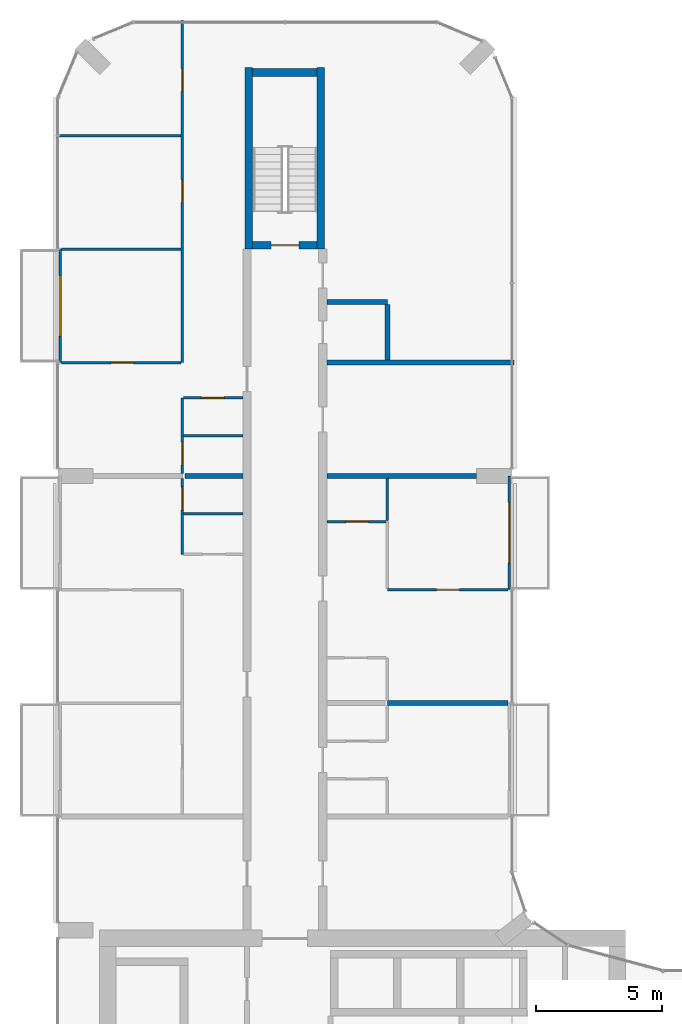
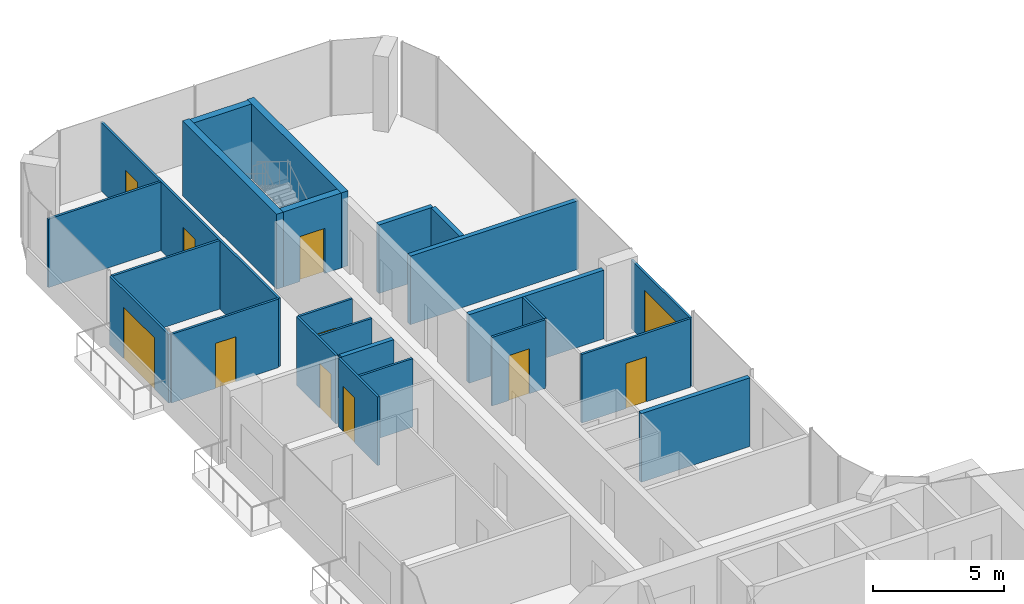
# One storey, part 14 of 19: 24 walls, 11 doors, 11 openings.
"""IFC4 building model written with IfcOpenShell, lengths in metres."""

from ifc_helpers import new_model, si_unit, direction, frame, frame_2d, origin, place, context, subcontext, project, spatial, rectangle, extrude, material, layer, layer_set, type_object, element, fill, save


model = new_model("IFC4")

# Units and contexts
model_context = context("Model", 3, precision=1e-05, world=origin(), true_north=direction((0.0, 1.0)))
body_context = subcontext(model_context, "Body", "Model", "MODEL_VIEW")
ifc_project = project(units=[si_unit("LENGTHUNIT", "METRE"), si_unit("AREAUNIT", "SQUARE_METRE"), si_unit("VOLUMEUNIT", "CUBIC_METRE"), si_unit("PLANEANGLEUNIT", "RADIAN"), si_unit("MASSUNIT", "GRAM", prefix="KILO")], contexts=[model_context])

# Site, building, storey
site_placement = place(None, origin())
site = spatial("IfcSite", under=ifc_project, at=site_placement, CompositionType="ELEMENT")
building_placement = place(site_placement, origin())
building = spatial("IfcBuilding", under=site, at=building_placement, Name="Plateau Cross Towers", CompositionType="ELEMENT")
storey_placement = place(building_placement, frame((0.0, 0.0, 120.300048828125)))
storey = spatial("IfcBuildingStorey", under=building, at=storey_placement, Name="L31", CompositionType="ELEMENT", Elevation=120.300048828125)

# Wall, opening, door
ifc_material_1 = material(Name="Aluminium framed glazing", Category="aluminium")
ifc_layer_1 = layer(ifc_material_1, 0.10009765625)
ifc_layer_set_1 = layer_set([ifc_layer_1], Name="Aluminium framed glazing")
wall_type_1 = type_object("IfcWallType", Name="Balcony screen wall 100", PredefinedType="STANDARD", material=ifc_layer_set_1)
wall_1_placement = place(storey_placement, frame((0.10009765625, 40.5, 0.0), z_axis=(0.0, 0.0, 1.0), x_axis=(0.0, 1.0, 0.0)))
wall_1 = element("IfcWall", 1, at=wall_1_placement, inside=storey, type_object=wall_type_1, Name="Balcony screen wall A-BAL-L31-03", PredefinedType="STANDARD", context=body_context, shape_type="SweptSolid", body=[
    extrude(rectangle(XDim=4.5, YDim=0.10009765625, at=frame_2d((2.25, 0.0))), origin(), (0.0, 0.0, 1.0), 3.199951171875),
])
opening_1_placement = place(wall_1_placement, frame((1.050048828125, 0.0, 0.0)))
opening_1 = element("IfcOpeningElement", 2, at=opening_1_placement, cuts=wall_1, Name="Opening D-B24", PredefinedType="OPENING", context=body_context, shape_type="SweptSolid", body=[
    extrude(rectangle(XDim=2.39990234375, YDim=2.39990234375, at=frame_2d((1.199951171875, 1.199951171875))), frame((0.0, 0.06005859375, 0.0), z_axis=(0.0, -1.0, 0.0), x_axis=(1.0, 0.0, 0.0)), (0.0, 0.0, 1.0), 0.1201171875),
])
ifc_material_2 = material(Name="Aluminium frame, double glazing", Category="aluminium")
door_type_1 = type_object("IfcDoorType", Name="Balcony sliding door 2400", OperationType="NOTDEFINED", PredefinedType="DOOR", material=ifc_material_2)
door_1_placement = place(opening_1_placement, origin())
door_1 = element("IfcDoor", 3, at=door_1_placement, inside=storey, type_object=door_type_1, Name="Balcony door A-BAL-L31-03", OperationType="SINGLE_SWING_LEFT", OverallHeight=2.39990234375, OverallWidth=2.39990234375, PredefinedType="DOOR", context=body_context, shape_type="SweptSolid", body=[
    extrude(rectangle(XDim=2.39990234375, YDim=2.39990234375, at=frame_2d((1.199951171875, 1.199951171875))), frame((0.0, 0.02490234375, 0.0), z_axis=(0.0, -1.0, 0.0), x_axis=(1.0, 0.0, 0.0)), (0.0, 0.0, 1.0), 0.050048828125),
])
fill(opening_1, door_1)

wall_2_placement = place(storey_placement, frame((17.89990234375, 36.0, 0.0), z_axis=(0.0, 0.0, 1.0), x_axis=(0.0, -1.0, 0.0)))
wall_2 = element("IfcWall", 4, at=wall_2_placement, inside=storey, type_object=wall_type_1, Name="Balcony screen wall A-BAL-L31-05", PredefinedType="STANDARD", context=body_context, shape_type="SweptSolid", body=[
    extrude(rectangle(XDim=4.5, YDim=0.10009765625, at=frame_2d((2.25, 0.0))), origin(), (0.0, 0.0, 1.0), 3.199951171875),
])
opening_2_placement = place(wall_2_placement, frame((1.050048828125, 0.0, 0.0)))
opening_2 = element("IfcOpeningElement", 5, at=opening_2_placement, cuts=wall_2, Name="Opening D-B24", PredefinedType="OPENING", context=body_context, shape_type="SweptSolid", body=[
    extrude(rectangle(XDim=2.39990234375, YDim=2.39990234375, at=frame_2d((1.199951171875, 1.199951171875))), frame((0.0, 0.06005859375, 0.0), z_axis=(0.0, -1.0, 0.0), x_axis=(1.0, 0.0, 0.0)), (0.0, 0.0, 1.0), 0.1201171875),
])
door_2_placement = place(opening_2_placement, origin())
door_2 = element("IfcDoor", 6, at=door_2_placement, inside=storey, type_object=door_type_1, Name="Balcony door A-BAL-L31-05", OperationType="SINGLE_SWING_LEFT", OverallHeight=2.39990234375, OverallWidth=2.39990234375, PredefinedType="DOOR", context=body_context, shape_type="SweptSolid", body=[
    extrude(rectangle(XDim=2.39990234375, YDim=2.39990234375, at=frame_2d((1.199951171875, 1.199951171875))), frame((0.0, 0.02490234375, 0.0), z_axis=(0.0, -1.0, 0.0), x_axis=(1.0, 0.0, 0.0)), (0.0, 0.0, 1.0), 0.050048828125),
])
fill(opening_2, door_2)

ifc_material_3 = material(Name="Gypsum board on steel studs", Category="steel")
ifc_layer_2 = layer(ifc_material_3, 0.10009765625)
ifc_layer_set_2 = layer_set([ifc_layer_2], Name="Gypsum board on steel studs")
wall_type_2 = type_object("IfcWallType", Name="Flat partition 100", PredefinedType="PARTITIONING", material=ifc_layer_set_2)
wall_3_placement = place(storey_placement, frame((13.0625, 31.5, 0.0), z_axis=(0.0, 0.0, 1.0), x_axis=(1.0, 0.0, 0.0)))
wall_3 = element("IfcWall", 7, at=wall_3_placement, inside=storey, type_object=wall_type_2, Name="Partition wall", PredefinedType="PARTITIONING", context=body_context, shape_type="SweptSolid", body=[
    extrude(rectangle(XDim=4.78759765625, YDim=0.10009765625, at=frame_2d((2.393798828125, 0.0))), origin(), (0.0, 0.0, 1.0), 3.199951171875),
])
opening_3_placement = place(wall_3_placement, frame((1.949951171875, 0.0, 0.0)))
opening_3 = element("IfcOpeningElement", 8, at=opening_3_placement, cuts=wall_3, Name="Opening 31-43", PredefinedType="OPENING", context=body_context, shape_type="SweptSolid", body=[
    extrude(rectangle(XDim=0.89990234375, YDim=2.10009765625, at=frame_2d((0.449951171875, 1.050048828125))), frame((0.0, 0.06005859375, 0.0), z_axis=(0.0, -1.0, 0.0), x_axis=(1.0, 0.0, 0.0)), (0.0, 0.0, 1.0), 0.1201171875),
])
ifc_material_4 = material(Name="Timber leaf", Category="wood")
door_type_2 = type_object("IfcDoorType", Name="Flat room door 900", OperationType="NOTDEFINED", PredefinedType="DOOR", material=ifc_material_4)
door_3_placement = place(opening_3_placement, origin())
door_3 = element("IfcDoor", 9, at=door_3_placement, inside=storey, type_object=door_type_2, Name="Door 31-43", OperationType="SINGLE_SWING_RIGHT", OverallHeight=2.10009765625, OverallWidth=0.89990234375, PredefinedType="DOOR", context=body_context, shape_type="SweptSolid", body=[
    extrude(rectangle(XDim=0.89990234375, YDim=2.10009765625, at=frame_2d((0.449951171875, 1.050048828125))), frame((0.0, 0.02490234375, 0.0), z_axis=(0.0, -1.0, 0.0), x_axis=(1.0, 0.0, 0.0)), (0.0, 0.0, 1.0), 0.050048828125),
])
fill(opening_3, door_3)

wall_4_placement = place(storey_placement, frame((10.66259765625, 34.199951171875, 0.0), z_axis=(0.0, 0.0, 1.0), x_axis=(1.0, 0.0, 0.0)))
wall_4 = element("IfcWall", 10, at=wall_4_placement, inside=storey, type_object=wall_type_2, Name="Partition wall", PredefinedType="PARTITIONING", context=body_context, shape_type="SweptSolid", body=[
    extrude(rectangle(XDim=2.349853515625, YDim=0.10009765625, at=frame_2d((1.1748046875, 0.0))), origin(), (0.0, 0.0, 1.0), 3.199951171875),
])
opening_4_placement = place(wall_4_placement, frame((0.75, 0.0, 0.0)))
opening_4 = element("IfcOpeningElement", 11, at=opening_4_placement, cuts=wall_4, Name="Opening 31-42", PredefinedType="OPENING", context=body_context, shape_type="SweptSolid", body=[
    extrude(rectangle(XDim=0.89990234375, YDim=2.10009765625, at=frame_2d((0.449951171875, 1.050048828125))), frame((0.0, 0.06005859375, 0.0), z_axis=(0.0, -1.0, 0.0), x_axis=(1.0, 0.0, 0.0)), (0.0, 0.0, 1.0), 0.1201171875),
])
door_4_placement = place(opening_4_placement, origin())
door_4 = element("IfcDoor", 12, at=door_4_placement, inside=storey, type_object=door_type_2, Name="Door 31-42", OperationType="SINGLE_SWING_RIGHT", OverallHeight=2.10009765625, OverallWidth=0.89990234375, PredefinedType="DOOR", context=body_context, shape_type="SweptSolid", body=[
    extrude(rectangle(XDim=0.89990234375, YDim=2.10009765625, at=frame_2d((0.449951171875, 1.050048828125))), frame((0.0, 0.02490234375, 0.0), z_axis=(0.0, -1.0, 0.0), x_axis=(1.0, 0.0, 0.0)), (0.0, 0.0, 1.0), 0.050048828125),
])
fill(opening_4, door_4)

# Walls
for number, where, z_axis, x_axis, name in (
    (13, (7.33740234375, 34.5, 0.0), (0.0, 0.0, 1.0), (-1.0, 0.0, 0.0), "Partition wall"),
    (14, (7.33740234375, 37.60009765625, 0.0), (0.0, 0.0, 1.0), (-1.0, 0.0, 0.0), "Partition wall"),
):
    element("IfcWall", number, at=place(storey_placement, frame(where, z_axis=z_axis, x_axis=x_axis)), inside=storey, type_object=wall_type_2, Name=name, PredefinedType="PARTITIONING", context=body_context, shape_type="SweptSolid", body=[
        extrude(rectangle(XDim=2.349853515625, YDim=0.10009765625, at=frame_2d((1.1748046875, 0.0))), origin(), (0.0, 0.0, 1.0), 3.199951171875),
    ])

# Wall, opening, door
wall_5_placement = place(storey_placement, frame((7.33740234375, 39.10009765625, 0.0), z_axis=(0.0, 0.0, 1.0), x_axis=(-1.0, 0.0, 0.0)))
wall_5 = element("IfcWall", 15, at=wall_5_placement, inside=storey, type_object=wall_type_2, Name="Partition wall", PredefinedType="PARTITIONING", context=body_context, shape_type="SweptSolid", body=[
    extrude(rectangle(XDim=2.349853515625, YDim=0.10009765625, at=frame_2d((1.1748046875, 0.0))), origin(), (0.0, 0.0, 1.0), 3.199951171875),
])
opening_5_placement = place(wall_5_placement, frame((0.75, 0.0, 0.0)))
opening_5 = element("IfcOpeningElement", 16, at=opening_5_placement, cuts=wall_5, Name="Opening 31-35", PredefinedType="OPENING", context=body_context, shape_type="SweptSolid", body=[
    extrude(rectangle(XDim=0.89990234375, YDim=2.10009765625, at=frame_2d((0.449951171875, 1.050048828125))), frame((0.0, 0.06005859375, 0.0), z_axis=(0.0, -1.0, 0.0), x_axis=(1.0, 0.0, 0.0)), (0.0, 0.0, 1.0), 0.1201171875),
])
door_5_placement = place(opening_5_placement, origin())
door_5 = element("IfcDoor", 17, at=door_5_placement, inside=storey, type_object=door_type_2, Name="Door 31-35", OperationType="SINGLE_SWING_RIGHT", OverallHeight=2.10009765625, OverallWidth=0.89990234375, PredefinedType="DOOR", context=body_context, shape_type="SweptSolid", body=[
    extrude(rectangle(XDim=0.89990234375, YDim=2.10009765625, at=frame_2d((0.449951171875, 1.050048828125))), frame((0.0, 0.02490234375, 0.0), z_axis=(0.0, -1.0, 0.0), x_axis=(1.0, 0.0, 0.0)), (0.0, 0.0, 1.0), 0.050048828125),
])
fill(opening_5, door_5)

wall_6_placement = place(storey_placement, frame((0.14990234375, 40.5, 0.0), z_axis=(0.0, 0.0, 1.0), x_axis=(1.0, 0.0, 0.0)))
wall_6 = element("IfcWall", 18, at=wall_6_placement, inside=storey, type_object=wall_type_2, Name="Partition wall", PredefinedType="PARTITIONING", context=body_context, shape_type="SweptSolid", body=[
    extrude(rectangle(XDim=4.737548828125, YDim=0.10009765625, at=frame_2d((2.36865234375, 0.0))), origin(), (0.0, 0.0, 1.0), 3.199951171875),
])
opening_6_placement = place(wall_6_placement, frame((1.949951171875, 0.0, 0.0)))
opening_6 = element("IfcOpeningElement", 19, at=opening_6_placement, cuts=wall_6, Name="Opening 31-36", PredefinedType="OPENING", context=body_context, shape_type="SweptSolid", body=[
    extrude(rectangle(XDim=0.89990234375, YDim=2.10009765625, at=frame_2d((0.449951171875, 1.050048828125))), frame((0.0, 0.06005859375, 0.0), z_axis=(0.0, -1.0, 0.0), x_axis=(1.0, 0.0, 0.0)), (0.0, 0.0, 1.0), 0.1201171875),
])
door_6_placement = place(opening_6_placement, origin())
door_6 = element("IfcDoor", 20, at=door_6_placement, inside=storey, type_object=door_type_2, Name="Door 31-36", OperationType="SINGLE_SWING_RIGHT", OverallHeight=2.10009765625, OverallWidth=0.89990234375, PredefinedType="DOOR", context=body_context, shape_type="SweptSolid", body=[
    extrude(rectangle(XDim=0.89990234375, YDim=2.10009765625, at=frame_2d((0.449951171875, 1.050048828125))), frame((0.0, 0.02490234375, 0.0), z_axis=(0.0, -1.0, 0.0), x_axis=(1.0, 0.0, 0.0)), (0.0, 0.0, 1.0), 0.050048828125),
])
fill(opening_6, door_6)

# Walls
wall_7_placement = place(storey_placement, frame((4.887451171875, 45.0, 0.0), z_axis=(0.0, 0.0, 1.0), x_axis=(-1.0, 0.0, 0.0)))
element("IfcWall", 21, at=wall_7_placement, inside=storey, type_object=wall_type_2, Name="Partition wall", PredefinedType="PARTITIONING", context=body_context, shape_type="SweptSolid", body=[
    extrude(rectangle(XDim=4.737548828125, YDim=0.10009765625, at=frame_2d((2.36865234375, 0.0))), origin(), (0.0, 0.0, 1.0), 3.199951171875),
])
wall_8_placement = place(storey_placement, frame((4.887451171875, 49.5, 0.0), z_axis=(0.0, 0.0, 1.0), x_axis=(-1.0, 0.0, 0.0)))
element("IfcWall", 22, at=wall_8_placement, inside=storey, type_object=wall_type_2, Name="Partition wall", PredefinedType="PARTITIONING", context=body_context, shape_type="SweptSolid", body=[
    extrude(rectangle(XDim=4.967529296875, YDim=0.10009765625, at=frame_2d((2.48388671875, 0.0))), origin(), (0.0, 0.0, 1.0), 3.199951171875),
])

# Wall, opening, door
wall_9_placement = place(storey_placement, frame((4.9375, 35.89990234375, 0.0), z_axis=(0.0, 0.0, 1.0), x_axis=(0.0, -1.0, 0.0)))
wall_9 = element("IfcWall", 23, at=wall_9_placement, inside=storey, type_object=wall_type_2, Name="Partition wall", PredefinedType="PARTITIONING", context=body_context, shape_type="SweptSolid", body=[
    extrude(rectangle(XDim=3.0, YDim=0.10009765625, at=frame_2d((1.5, 0.0))), origin(), (0.0, 0.0, 1.0), 3.199951171875),
])
opening_7_placement = place(wall_9_placement, frame((0.35009765625, 0.0, 0.0)))
opening_7 = element("IfcOpeningElement", 24, at=opening_7_placement, cuts=wall_9, Name="Opening 31-31", PredefinedType="OPENING", context=body_context, shape_type="SweptSolid", body=[
    extrude(rectangle(XDim=0.89990234375, YDim=2.10009765625, at=frame_2d((0.449951171875, 1.050048828125))), frame((0.0, 0.06005859375, 0.0), z_axis=(0.0, -1.0, 0.0), x_axis=(1.0, 0.0, 0.0)), (0.0, 0.0, 1.0), 0.1201171875),
])
door_7_placement = place(opening_7_placement, origin())
door_7 = element("IfcDoor", 25, at=door_7_placement, inside=storey, type_object=door_type_2, Name="Door 31-31", OperationType="SINGLE_SWING_LEFT", OverallHeight=2.10009765625, OverallWidth=0.89990234375, PredefinedType="DOOR", context=body_context, shape_type="SweptSolid", body=[
    extrude(rectangle(XDim=0.89990234375, YDim=2.10009765625, at=frame_2d((0.449951171875, 1.050048828125))), frame((0.0, 0.02490234375, 0.0), z_axis=(0.0, -1.0, 0.0), x_axis=(1.0, 0.0, 0.0)), (0.0, 0.0, 1.0), 0.050048828125),
])
fill(opening_7, door_7)

wall_10_placement = place(storey_placement, frame((4.9375, 39.10009765625, 0.0), z_axis=(0.0, 0.0, 1.0), x_axis=(0.0, -1.0, 0.0)))
wall_10 = element("IfcWall", 26, at=wall_10_placement, inside=storey, type_object=wall_type_2, Name="Partition wall", PredefinedType="PARTITIONING", context=body_context, shape_type="SweptSolid", body=[
    extrude(rectangle(XDim=3.0, YDim=0.10009765625, at=frame_2d((1.5, 0.0))), origin(), (0.0, 0.0, 1.0), 3.199951171875),
])
opening_8_placement = place(wall_10_placement, frame((1.75, 0.0, 0.0)))
opening_8 = element("IfcOpeningElement", 27, at=opening_8_placement, cuts=wall_10, Name="Opening 31-34", PredefinedType="OPENING", context=body_context, shape_type="SweptSolid", body=[
    extrude(rectangle(XDim=0.89990234375, YDim=2.10009765625, at=frame_2d((0.449951171875, 1.050048828125))), frame((0.0, 0.06005859375, 0.0), z_axis=(0.0, -1.0, 0.0), x_axis=(1.0, 0.0, 0.0)), (0.0, 0.0, 1.0), 0.1201171875),
])
door_8_placement = place(opening_8_placement, origin())
door_8 = element("IfcDoor", 28, at=door_8_placement, inside=storey, type_object=door_type_2, Name="Door 31-34", OperationType="SINGLE_SWING_RIGHT", OverallHeight=2.10009765625, OverallWidth=0.89990234375, PredefinedType="DOOR", context=body_context, shape_type="SweptSolid", body=[
    extrude(rectangle(XDim=0.89990234375, YDim=2.10009765625, at=frame_2d((0.449951171875, 1.050048828125))), frame((0.0, 0.02490234375, 0.0), z_axis=(0.0, -1.0, 0.0), x_axis=(1.0, 0.0, 0.0)), (0.0, 0.0, 1.0), 0.050048828125),
])
fill(opening_8, door_8)

# Wall, openings, doors
wall_11_placement = place(storey_placement, frame((4.9375, 40.5, 0.0), z_axis=(0.0, 0.0, 1.0), x_axis=(0.0, 1.0, 0.0)))
wall_11 = element("IfcWall", 29, at=wall_11_placement, inside=storey, type_object=wall_type_2, Name="Partition wall", PredefinedType="PARTITIONING", context=body_context, shape_type="SweptSolid", body=[
    extrude(rectangle(XDim=13.580078125, YDim=0.10009765625, at=frame_2d((6.7900390625, 0.0))), origin(), (0.0, 0.0, 1.0), 3.199951171875),
])
opening_9_placement = place(wall_11_placement, frame((6.35009765625, 0.0, 0.0)))
opening_9 = element("IfcOpeningElement", 30, at=opening_9_placement, cuts=wall_11, Name="Opening 31-37", PredefinedType="OPENING", context=body_context, shape_type="SweptSolid", body=[
    extrude(rectangle(XDim=0.89990234375, YDim=2.10009765625, at=frame_2d((0.449951171875, 1.050048828125))), frame((0.0, 0.06005859375, 0.0), z_axis=(0.0, -1.0, 0.0), x_axis=(1.0, 0.0, 0.0)), (0.0, 0.0, 1.0), 0.1201171875),
])
opening_10_placement = place(wall_11_placement, frame((10.75, 0.0, 0.0)))
opening_10 = element("IfcOpeningElement", 31, at=opening_10_placement, cuts=wall_11, Name="Opening 31-38", PredefinedType="OPENING", context=body_context, shape_type="SweptSolid", body=[
    extrude(rectangle(XDim=0.89990234375, YDim=2.10009765625, at=frame_2d((0.449951171875, 1.050048828125))), frame((0.0, 0.06005859375, 0.0), z_axis=(0.0, -1.0, 0.0), x_axis=(1.0, 0.0, 0.0)), (0.0, 0.0, 1.0), 0.1201171875),
])
door_9_placement = place(opening_9_placement, origin())
door_9 = element("IfcDoor", 32, at=door_9_placement, inside=storey, type_object=door_type_2, Name="Door 31-37", OperationType="SINGLE_SWING_RIGHT", OverallHeight=2.10009765625, OverallWidth=0.89990234375, PredefinedType="DOOR", context=body_context, shape_type="SweptSolid", body=[
    extrude(rectangle(XDim=0.89990234375, YDim=2.10009765625, at=frame_2d((0.449951171875, 1.050048828125))), frame((0.0, 0.02490234375, 0.0), z_axis=(0.0, -1.0, 0.0), x_axis=(1.0, 0.0, 0.0)), (0.0, 0.0, 1.0), 0.050048828125),
])
fill(opening_9, door_9)
door_10_placement = place(opening_10_placement, origin())
door_10 = element("IfcDoor", 33, at=door_10_placement, inside=storey, type_object=door_type_2, Name="Door 31-38", OperationType="SINGLE_SWING_RIGHT", OverallHeight=2.10009765625, OverallWidth=0.89990234375, PredefinedType="DOOR", context=body_context, shape_type="SweptSolid", body=[
    extrude(rectangle(XDim=0.89990234375, YDim=2.10009765625, at=frame_2d((0.449951171875, 1.050048828125))), frame((0.0, 0.02490234375, 0.0), z_axis=(0.0, -1.0, 0.0), x_axis=(1.0, 0.0, 0.0)), (0.0, 0.0, 1.0), 0.050048828125),
])
fill(opening_10, door_10)

# Walls
wall_12_placement = place(storey_placement, frame((13.0625, 34.25, 0.0), z_axis=(0.0, 0.0, 1.0), x_axis=(0.0, 1.0, 0.0)))
element("IfcWall", 34, at=wall_12_placement, inside=storey, type_object=wall_type_2, Name="Partition wall", PredefinedType="PARTITIONING", context=body_context, shape_type="SweptSolid", body=[
    extrude(rectangle(XDim=1.64990234375, YDim=0.10009765625, at=frame_2d((0.824951171875, 0.0))), origin(), (0.0, 0.0, 1.0), 3.199951171875),
])
ifc_material_5 = material(Name="Gypsum board on steel studs, two layers each side", Category="steel")
ifc_layer_3 = layer(ifc_material_5, 0.199951171875)
ifc_layer_set_3 = layer_set([ifc_layer_3], Name="Gypsum board on steel studs, two layers each side")
wall_type_3 = type_object("IfcWallType", Name="Flat party wall 200", PredefinedType="PARTITIONING", material=ifc_layer_set_3)
wall_13_placement = place(storey_placement, frame((13.0625, 27.0, 0.0), z_axis=(0.0, 0.0, 1.0), x_axis=(1.0, 0.0, 0.0)))
element("IfcWall", 35, at=wall_13_placement, inside=storey, type_object=wall_type_3, Name="Party wall", PredefinedType="PARTITIONING", context=body_context, shape_type="SweptSolid", body=[
    extrude(rectangle(XDim=4.78759765625, YDim=0.199951171875, at=frame_2d((2.393798828125, 0.0))), origin(), (0.0, 0.0, 1.0), 3.199951171875),
])
wall_14_placement = place(storey_placement, frame((7.33740234375, 36.0, 0.0), z_axis=(0.0, 0.0, 1.0), x_axis=(-1.0, 0.0, 0.0)))
element("IfcWall", 36, at=wall_14_placement, inside=storey, type_object=wall_type_3, Name="Party wall", PredefinedType="PARTITIONING", context=body_context, shape_type="SweptSolid", body=[
    extrude(rectangle(XDim=2.2998046875, YDim=0.199951171875, at=frame_2d((1.14990234375, 0.0))), origin(), (0.0, 0.0, 1.0), 3.199951171875),
])
wall_15_placement = place(storey_placement, frame((16.60009765625, 36.0, 0.0), z_axis=(0.0, 0.0, 1.0), x_axis=(-1.0, 0.0, 0.0)))
element("IfcWall", 37, at=wall_15_placement, inside=storey, type_object=wall_type_3, Name="Party wall", PredefinedType="PARTITIONING", context=body_context, shape_type="SweptSolid", body=[
    extrude(rectangle(XDim=5.9375, YDim=0.199951171875, at=frame_2d((2.96875, 0.0))), origin(), (0.0, 0.0, 1.0), 3.199951171875),
])
wall_16_placement = place(storey_placement, frame((18.080078125, 40.5, 0.0), z_axis=(0.0, 0.0, 1.0), x_axis=(-1.0, 0.0, 0.0)))
element("IfcWall", 38, at=wall_16_placement, inside=storey, type_object=wall_type_3, Name="Party wall", PredefinedType="PARTITIONING", context=body_context, shape_type="SweptSolid", body=[
    extrude(rectangle(XDim=7.41748046875, YDim=0.199951171875, at=frame_2d((3.708740234375, 0.0))), origin(), (0.0, 0.0, 1.0), 3.199951171875),
])
wall_17_placement = place(storey_placement, frame((13.0625, 42.89990234375, 0.0), z_axis=(0.0, 0.0, 1.0), x_axis=(-1.0, 0.0, 0.0)))
element("IfcWall", 39, at=wall_17_placement, inside=storey, type_object=wall_type_3, Name="Party wall", PredefinedType="PARTITIONING", context=body_context, shape_type="SweptSolid", body=[
    extrude(rectangle(XDim=2.39990234375, YDim=0.199951171875, at=frame_2d((1.199951171875, 0.0))), origin(), (0.0, 0.0, 1.0), 3.199951171875),
])
wall_18_placement = place(storey_placement, frame((13.0625, 40.60009765625, 0.0), z_axis=(0.0, 0.0, 1.0), x_axis=(0.0, 1.0, 0.0)))
element("IfcWall", 40, at=wall_18_placement, inside=storey, type_object=wall_type_3, Name="Party wall", PredefinedType="PARTITIONING", context=body_context, shape_type="SweptSolid", body=[
    extrude(rectangle(XDim=2.199951171875, YDim=0.199951171875, at=frame_2d((1.10009765625, 0.0))), origin(), (0.0, 0.0, 1.0), 3.199951171875),
])

# Wall, opening, door
ifc_material_6 = material(Name="Concrete C60/75", Category="concrete")
ifc_layer_4 = layer(ifc_material_6, 0.300048828125)
ifc_layer_set_4 = layer_set([ifc_layer_4], Name="Concrete C60/75")
wall_type_4 = type_object("IfcWallType", Name="Stair tower wall 300", PredefinedType="SHEAR", material=ifc_layer_set_4)
wall_19_placement = place(storey_placement, frame((7.72509765625, 45.14990234375, 0.0), z_axis=(0.0, 0.0, 1.0), x_axis=(1.0, 0.0, 0.0)))
wall_19 = element("IfcWall", 41, at=wall_19_placement, inside=storey, type_object=wall_type_4, Name="A-end-N-S@L31", PredefinedType="SHEAR", context=body_context, shape_type="SweptSolid", body=[
    extrude(rectangle(XDim=2.5498046875, YDim=0.300048828125, at=frame_2d((1.27490234375, 0.0))), origin(), (0.0, 0.0, 1.0), 3.5),
])
opening_11_placement = place(wall_19_placement, frame((0.72509765625, 0.0, 0.0)))
opening_11 = element("IfcOpeningElement", 42, at=opening_11_placement, cuts=wall_19, Name="Opening SD", PredefinedType="OPENING", context=body_context, shape_type="SweptSolid", body=[
    extrude(rectangle(XDim=1.10009765625, YDim=2.10009765625, at=frame_2d((0.550048828125, 1.050048828125))), frame((0.0, 0.159912109375, 0.0), z_axis=(0.0, -1.0, 0.0), x_axis=(1.0, 0.0, 0.0)), (0.0, 0.0, 1.0), 0.320068359375),
])
ifc_material_7 = material(Name="Steel, fire-resisting leaf", Category="steel")
door_type_3 = type_object("IfcDoorType", Name="Stair door 1100", OperationType="NOTDEFINED", PredefinedType="DOOR", material=ifc_material_7)
door_11_placement = place(opening_11_placement, origin())
door_11 = element("IfcDoor", 43, at=door_11_placement, inside=storey, type_object=door_type_3, Name="Stair door SD", OperationType="SINGLE_SWING_LEFT", OverallHeight=2.10009765625, OverallWidth=1.10009765625, PredefinedType="DOOR", context=body_context, shape_type="SweptSolid", body=[
    extrude(rectangle(XDim=1.10009765625, YDim=2.10009765625, at=frame_2d((0.550048828125, 1.050048828125))), frame((0.0, 0.02490234375, 0.0), z_axis=(0.0, -1.0, 0.0), x_axis=(1.0, 0.0, 0.0)), (0.0, 0.0, 1.0), 0.050048828125),
])
fill(opening_11, door_11)

# Walls
wall_20_placement = place(storey_placement, frame((7.72509765625, 52.0, 0.0), z_axis=(0.0, 0.0, 1.0), x_axis=(1.0, 0.0, 0.0)))
element("IfcWall", 44, at=wall_20_placement, inside=storey, type_object=wall_type_4, Name="A-end-N-N@L31", PredefinedType="SHEAR", context=body_context, shape_type="SweptSolid", body=[
    extrude(rectangle(XDim=2.5498046875, YDim=0.300048828125, at=frame_2d((1.27490234375, 0.0))), origin(), (0.0, 0.0, 1.0), 3.5),
])
for number, where, z_axis, x_axis, name in (
    (45, (7.574951171875, 45.0, 0.0), (0.0, 0.0, 1.0), (0.0, 1.0, 0.0), "A-end-N-W@L31"),
    (46, (10.425048828125, 45.0, 0.0), (0.0, 0.0, 1.0), (0.0, 1.0, 0.0), "A-end-N-E@L31"),
):
    element("IfcWall", number, at=place(storey_placement, frame(where, z_axis=z_axis, x_axis=x_axis)), inside=storey, type_object=wall_type_4, Name=name, PredefinedType="SHEAR", context=body_context, shape_type="SweptSolid", body=[
        extrude(rectangle(XDim=7.199951171875, YDim=0.300048828125, at=frame_2d((3.60009765625, 0.0))), origin(), (0.0, 0.0, 1.0), 3.5),
    ])

save(model, "model.ifc")
